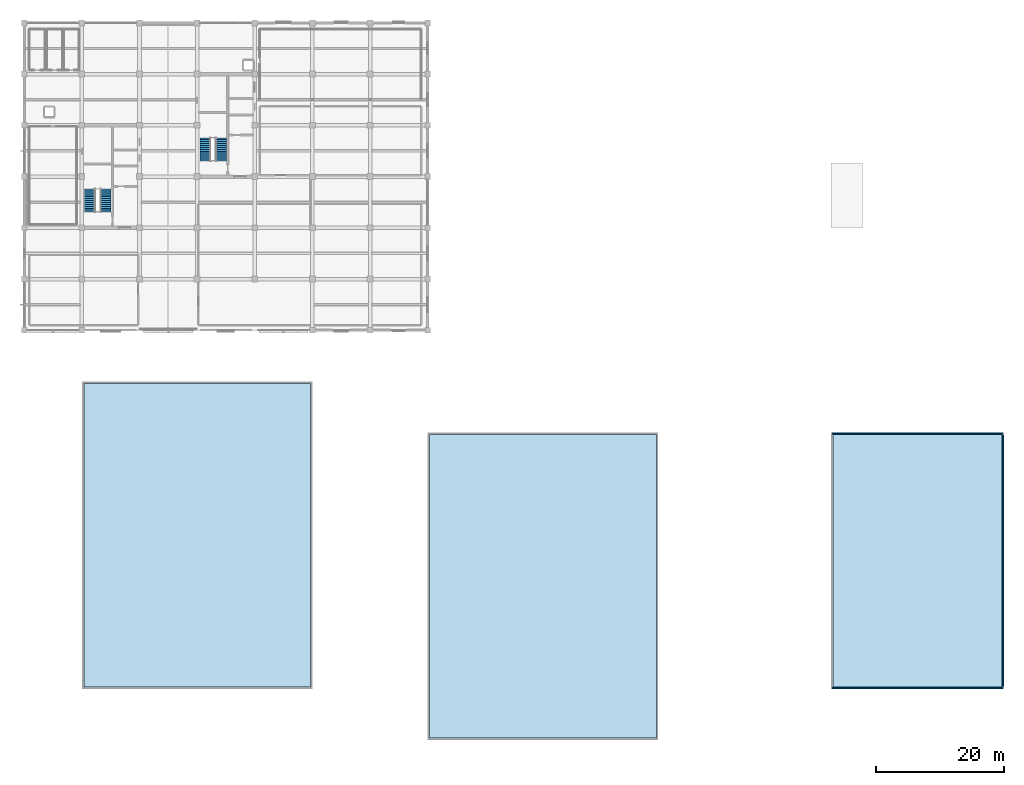
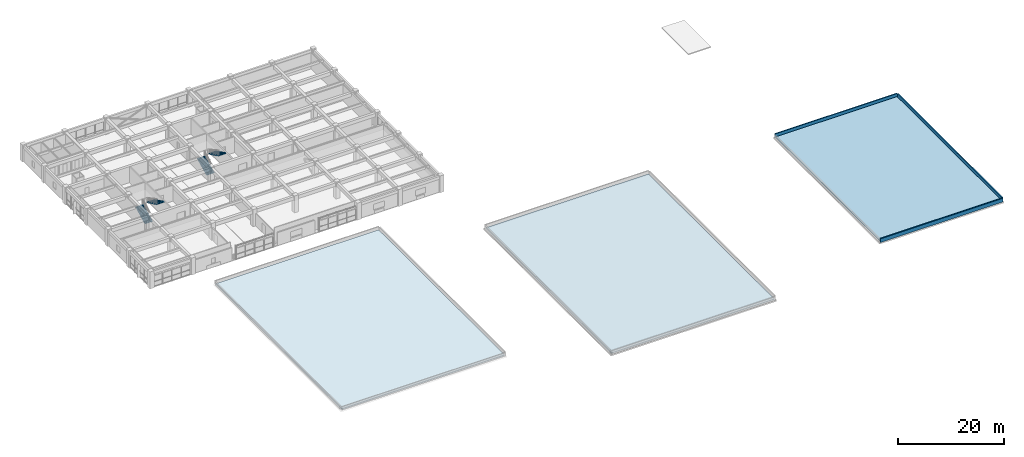
# One storey, part 19 of 23: 4 stair flights, 3 roofs, 3 walls, 2 elements without a shape of their own.
"""IFC4 building model written with IfcOpenShell, lengths in metres."""

from ifc_helpers import new_model, si_unit, direction, frame, frame_2d, origin, place, context, subcontext, project, spatial, polyline, rectangle, outline, extrude, material, layer, layer_set, type_object, element, aggregate, save


model = new_model("IFC4")

# Units and contexts
model_context = context("Model", 3, precision=1e-05, world=origin(), true_north=direction((0.0, 1.0)))
body_context = subcontext(model_context, "Body", "Model", "MODEL_VIEW")
ifc_project = project(units=[si_unit("LENGTHUNIT", "METRE"), si_unit("AREAUNIT", "SQUARE_METRE"), si_unit("VOLUMEUNIT", "CUBIC_METRE"), si_unit("PLANEANGLEUNIT", "RADIAN"), si_unit("MASSUNIT", "GRAM", prefix="KILO")], contexts=[model_context])

# Site, building, storey
site_placement = place(None, origin())
site = spatial("IfcSite", under=ifc_project, at=site_placement, CompositionType="ELEMENT")
building_placement = place(site_placement, origin())
building = spatial("IfcBuilding", under=site, at=building_placement, Name="Zaverband Oceanarium and Marine Research Institute", CompositionType="ELEMENT")
storey_placement = place(building_placement, frame((0.0, 0.0, 21.89990234375)))
storey = spatial("IfcBuildingStorey", under=building, at=storey_placement, Name="L05", CompositionType="ELEMENT", Elevation=21.89990234375)

# Walls
ifc_material = material(Name="Concrete C40/50", Category="concrete")
ifc_layer_1 = layer(ifc_material, 0.22998046875, Name="Concrete C40/50")
ifc_layer_set_1 = layer_set([ifc_layer_1], Name="Concrete C40/50")
wall_type = type_object("IfcWallType", Name="PAR-230", PredefinedType="PARAPET", material=ifc_layer_set_1)
for number, where, z_axis, x_axis, name in (
    (1, (135.199951171875, 8.14990234375, 0.0), (0.0, 0.0, 1.0), (1.0, 0.0, 0.0), "Roof parapet upstand PAR-230"),
    (2, (135.199951171875, 47.85009765625, 0.0), (0.0, 0.0, 1.0), (1.0, 0.0, 0.0), "Roof parapet upstand PAR-230"),
):
    element("IfcWall", number, at=place(storey_placement, frame(where, z_axis=z_axis, x_axis=x_axis)), inside=storey, type_object=wall_type, Name=name, PredefinedType="PARAPET", context=body_context, shape_type="SweptSolid", body=[
        extrude(rectangle(XDim=26.60009765625, YDim=0.22998046875, at=frame_2d((13.300048828125, 0.0))), origin(), (0.0, 0.0, 1.0), 0.85009765625),
    ])
wall_placement = place(storey_placement, frame((161.85009765625, 8.39990234375, 0.0), z_axis=(0.0, 0.0, 1.0), x_axis=(0.0, 1.0, 0.0)))
element("IfcWall", 3, at=wall_placement, inside=storey, type_object=wall_type, Name="Roof parapet upstand PAR-230", PredefinedType="PARAPET", context=body_context, shape_type="SweptSolid", body=[
    extrude(rectangle(XDim=39.2001953125, YDim=0.22998046875, at=frame_2d((19.60009765625, 0.0))), origin(), (0.0, 0.0, 1.0), 0.85009765625),
])

# Stair, stair flights
stair_type = type_object("IfcStairType", Name="STR-TWR-1650-3900", PredefinedType="HALF_TURN_STAIR", material=ifc_material)
stair_1_placement = place(storey_placement, origin())
stair_1 = element("IfcStair", 4, at=stair_1_placement, inside=storey, type_object=stair_type, Name="Exit Stair ST-01 (L05)", PredefinedType="HALF_TURN_STAIR")
stair_flight_type = type_object("IfcStairFlightType", Name="STR-TWR-1650-3900-FL", PredefinedType="STRAIGHT", material=ifc_material)
stair_flight_1_placement = place(storey_placement, frame((19.2548828125, 82.449951171875, 0.0), z_axis=(0.0, 0.0, 1.0), x_axis=(0.0, 1.0, 0.0)))
stair_flight_1 = element("IfcStairFlight", 5, at=stair_flight_1_placement, type_object=stair_flight_type, Name="Reinforced concrete stair flight ST-01-F1", NumberOfRisers=13, NumberOfTreads=12, PredefinedType="STRAIGHT", RiserHeight=0.15, TreadLength=0.3, context=body_context, shape_type="SweptSolid", body=[
    extrude(outline(polyline([(0.0, 0.0), (0.0, 0.14990234375), (0.300048828125, 0.14990234375), (0.300048828125, 0.300048828125), (0.60009765625, 0.300048828125), (0.60009765625, 0.449951171875), (0.89990234375, 0.449951171875), (0.89990234375, 0.60009765625), (1.199951171875, 0.60009765625), (1.199951171875, 0.75), (1.5, 0.75), (1.5, 0.89990234375), (1.800048828125, 0.89990234375), (1.800048828125, 1.050048828125), (2.10009765625, 1.050048828125), (2.10009765625, 1.199951171875), (2.39990234375, 1.199951171875), (2.39990234375, 1.35009765625), (2.699951171875, 1.35009765625), (2.699951171875, 1.5), (3.0, 1.5), (3.0, 1.64990234375), (3.300048828125, 1.64990234375), (3.300048828125, 1.800048828125), (3.60009765625, 1.800048828125), (3.60009765625, 1.949951171875), (3.60009765625, 1.598876953125), (0.40234375, 0.0), (0.0, 0.0)])), frame((0.0, 0.824951171875, 0.0), z_axis=(0.0, -1.0, 0.0), x_axis=(1.0, 0.0, 0.0)), (0.0, 0.0, 1.0), 1.64990234375),
])
stair_flight_2_placement = place(storey_placement, frame((21.7451171875, 86.050048828125, 1.9501953125), z_axis=(0.0, 0.0, 1.0), x_axis=(0.0, -1.0, 0.0)))
stair_flight_2 = element("IfcStairFlight", 6, at=stair_flight_2_placement, type_object=stair_flight_type, Name="Reinforced concrete stair flight ST-01-F2", NumberOfRisers=13, NumberOfTreads=12, PredefinedType="STRAIGHT", RiserHeight=0.15, TreadLength=0.3, context=body_context, shape_type="SweptSolid", body=[
    extrude(outline(polyline([(0.0, 0.0), (0.0, 0.14990234375), (0.300048828125, 0.14990234375), (0.300048828125, 0.300048828125), (0.60009765625, 0.300048828125), (0.60009765625, 0.449951171875), (0.89990234375, 0.449951171875), (0.89990234375, 0.60009765625), (1.199951171875, 0.60009765625), (1.199951171875, 0.75), (1.5, 0.75), (1.5, 0.89990234375), (1.800048828125, 0.89990234375), (1.800048828125, 1.050048828125), (2.10009765625, 1.050048828125), (2.10009765625, 1.199951171875), (2.39990234375, 1.199951171875), (2.39990234375, 1.35009765625), (2.699951171875, 1.35009765625), (2.699951171875, 1.5), (3.0, 1.5), (3.0, 1.64990234375), (3.300048828125, 1.64990234375), (3.300048828125, 1.800048828125), (3.60009765625, 1.800048828125), (3.60009765625, 1.949951171875), (3.60009765625, 1.598876953125), (0.40234375, 0.0), (0.0, 0.0)])), frame((0.0, 0.824951171875, 0.0), z_axis=(0.0, -1.0, 0.0), x_axis=(1.0, 0.0, 0.0)), (0.0, 0.0, 1.0), 1.64990234375),
])
aggregate(stair_1, [stair_flight_1, stair_flight_2])

stair_2_placement = place(storey_placement, origin())
stair_2 = element("IfcStair", 7, at=stair_2_placement, inside=storey, type_object=stair_type, Name="Exit Stair ST-02 (L05)", PredefinedType="HALF_TURN_STAIR")
stair_flight_3_placement = place(storey_placement, frame((37.2548828125, 90.449951171875, 0.0), z_axis=(0.0, 0.0, 1.0), x_axis=(0.0, 1.0, 0.0)))
stair_flight_3 = element("IfcStairFlight", 8, at=stair_flight_3_placement, type_object=stair_flight_type, Name="Reinforced concrete stair flight ST-02-F1", NumberOfRisers=13, NumberOfTreads=12, PredefinedType="STRAIGHT", RiserHeight=0.15, TreadLength=0.3, context=body_context, shape_type="SweptSolid", body=[
    extrude(outline(polyline([(0.0, 0.0), (0.0, 0.14990234375), (0.300048828125, 0.14990234375), (0.300048828125, 0.300048828125), (0.60009765625, 0.300048828125), (0.60009765625, 0.449951171875), (0.89990234375, 0.449951171875), (0.89990234375, 0.60009765625), (1.199951171875, 0.60009765625), (1.199951171875, 0.75), (1.5, 0.75), (1.5, 0.89990234375), (1.800048828125, 0.89990234375), (1.800048828125, 1.050048828125), (2.10009765625, 1.050048828125), (2.10009765625, 1.199951171875), (2.39990234375, 1.199951171875), (2.39990234375, 1.35009765625), (2.699951171875, 1.35009765625), (2.699951171875, 1.5), (3.0, 1.5), (3.0, 1.64990234375), (3.300048828125, 1.64990234375), (3.300048828125, 1.800048828125), (3.60009765625, 1.800048828125), (3.60009765625, 1.949951171875), (3.60009765625, 1.598876953125), (0.40234375, 0.0), (0.0, 0.0)])), frame((0.0, 0.824951171875, 0.0), z_axis=(0.0, -1.0, 0.0), x_axis=(1.0, 0.0, 0.0)), (0.0, 0.0, 1.0), 1.64990234375),
])
stair_flight_4_placement = place(storey_placement, frame((39.7451171875, 94.050048828125, 1.9501953125), z_axis=(0.0, 0.0, 1.0), x_axis=(0.0, -1.0, 0.0)))
stair_flight_4 = element("IfcStairFlight", 9, at=stair_flight_4_placement, type_object=stair_flight_type, Name="Reinforced concrete stair flight ST-02-F2", NumberOfRisers=13, NumberOfTreads=12, PredefinedType="STRAIGHT", RiserHeight=0.15, TreadLength=0.3, context=body_context, shape_type="SweptSolid", body=[
    extrude(outline(polyline([(0.0, 0.0), (0.0, 0.14990234375), (0.300048828125, 0.14990234375), (0.300048828125, 0.300048828125), (0.60009765625, 0.300048828125), (0.60009765625, 0.449951171875), (0.89990234375, 0.449951171875), (0.89990234375, 0.60009765625), (1.199951171875, 0.60009765625), (1.199951171875, 0.75), (1.5, 0.75), (1.5, 0.89990234375), (1.800048828125, 0.89990234375), (1.800048828125, 1.050048828125), (2.10009765625, 1.050048828125), (2.10009765625, 1.199951171875), (2.39990234375, 1.199951171875), (2.39990234375, 1.35009765625), (2.699951171875, 1.35009765625), (2.699951171875, 1.5), (3.0, 1.5), (3.0, 1.64990234375), (3.300048828125, 1.64990234375), (3.300048828125, 1.800048828125), (3.60009765625, 1.800048828125), (3.60009765625, 1.949951171875), (3.60009765625, 1.598876953125), (0.40234375, 0.0), (0.0, 0.0)])), frame((0.0, 0.824951171875, 0.0), z_axis=(0.0, -1.0, 0.0), x_axis=(1.0, 0.0, 0.0)), (0.0, 0.0, 1.0), 1.64990234375),
])
aggregate(stair_2, [stair_flight_3, stair_flight_4])

# Roofs
ifc_layer_2 = layer(ifc_material, 0.179931640625, Name="Concrete C40/50")
ifc_layer_set_2 = layer_set([ifc_layer_2], Name="Concrete C40/50")
roof_type = type_object("IfcRoofType", Name="RF-SHED", PredefinedType="SHED_ROOF", material=ifc_layer_set_2)
roof_1_placement = place(storey_placement, frame((0.0, 0.0, 2.400146484375)))
element("IfcRoof", 10, at=roof_1_placement, inside=storey, type_object=roof_type, Name="Ventilated Afro-modernist pitched roof assembly RF-SHED", PredefinedType="SHED_ROOF", context=body_context, shape_type="SweptSolid", body=[
    extrude(outline(polyline([(18.300048828125, 8.300048828125), (53.699951171875, 8.300048828125), (53.699951171875, 55.699951171875), (18.300048828125, 55.699951171875), (18.300048828125, 8.300048828125)])), origin(), (0.0, 0.0, 1.0), 0.179931640625),
])
roof_2_placement = place(storey_placement, frame((0.0, 0.0, 1.2001953125)))
element("IfcRoof", 11, at=roof_2_placement, inside=storey, type_object=roof_type, Name="Ventilated Afro-modernist pitched roof assembly RF-SHED", PredefinedType="SHED_ROOF", context=body_context, shape_type="SweptSolid", body=[
    extrude(outline(polyline([(72.300048828125, 0.300048828125), (107.699951171875, 0.300048828125), (107.699951171875, 47.699951171875), (72.300048828125, 47.699951171875), (72.300048828125, 0.300048828125)])), origin(), (0.0, 0.0, 1.0), 0.179931640625),
])
roof_3_placement = place(storey_placement, origin())
element("IfcRoof", 12, at=roof_3_placement, inside=storey, type_object=roof_type, Name="Ventilated Afro-modernist pitched roof assembly RF-SHED", PredefinedType="SHED_ROOF", context=body_context, shape_type="SweptSolid", body=[
    extrude(outline(polyline([(135.300048828125, 8.300048828125), (161.699951171875, 8.300048828125), (161.699951171875, 47.699951171875), (135.300048828125, 47.699951171875), (135.300048828125, 8.300048828125)])), origin(), (0.0, 0.0, 1.0), 0.18017578125),
])

save(model, "model.ifc")
